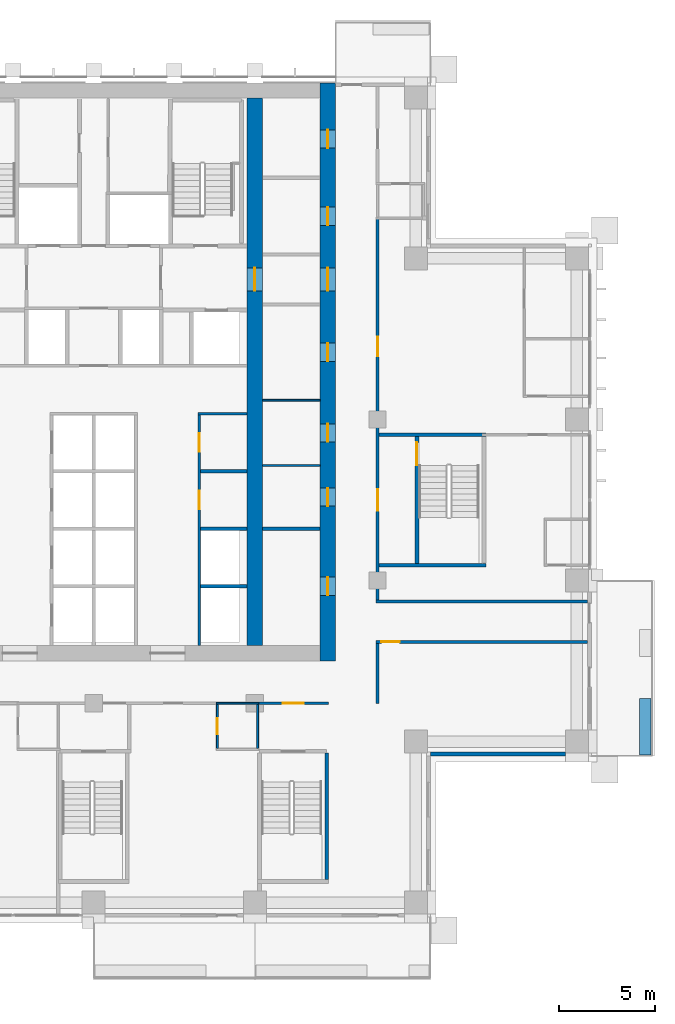
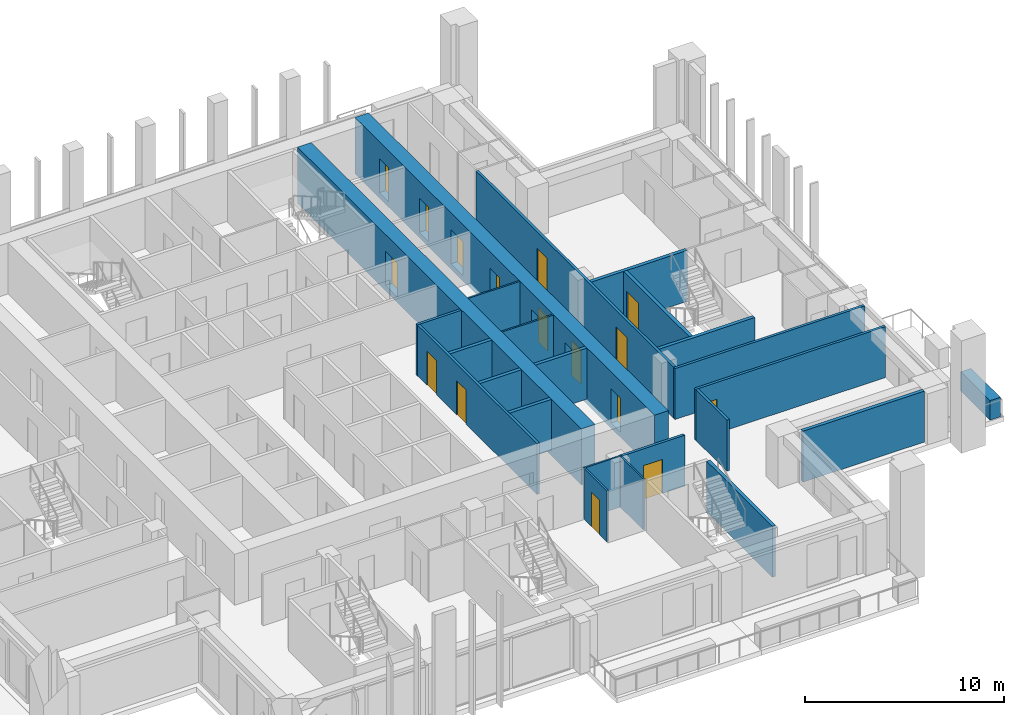
# One storey, part 11 of 19: 24 walls, 16 doors, 16 openings.
"""IFC4 building model written with IfcOpenShell, lengths in metres."""

from ifc_helpers import new_model, si_unit, direction, frame, frame_2d, origin, place, context, subcontext, project, spatial, rectangle, extrude, material, layer, layer_set, type_object, element, fill, save


model = new_model("IFC4")

# Units and contexts
model_context = context("Model", 3, precision=1e-05, world=origin(), true_north=direction((0.0, 1.0)))
body_context = subcontext(model_context, "Body", "Model", "MODEL_VIEW")
ifc_project = project(units=[si_unit("LENGTHUNIT", "METRE"), si_unit("AREAUNIT", "SQUARE_METRE"), si_unit("VOLUMEUNIT", "CUBIC_METRE"), si_unit("PLANEANGLEUNIT", "RADIAN"), si_unit("MASSUNIT", "GRAM", prefix="KILO")], contexts=[model_context])

# Site, building, storey
site_placement = place(None, origin())
site = spatial("IfcSite", under=ifc_project, at=site_placement, CompositionType="ELEMENT")
building_placement = place(site_placement, origin())
building = spatial("IfcBuilding", under=site, at=building_placement, Name="Vermilion Ogive Tower", CompositionType="ELEMENT")
storey_placement = place(building_placement, frame((0.0, 0.0, 90.75)))
storey = spatial("IfcBuildingStorey", under=building, at=storey_placement, Name="L22", CompositionType="ELEMENT", Elevation=90.75)

# Wall, openings, doors
ifc_material_1 = material(Name="Concrete B80", Category="concrete")
ifc_layer_1 = layer(ifc_material_1, 0.800048828125)
ifc_layer_set_1 = layer_set([ifc_layer_1], Name="Core wall 800 B80")
wall_type_1 = type_object("IfcWallType", Name="Core wall 800 B80", PredefinedType="SHEAR", material=ifc_layer_set_1)
wall_1_placement = place(storey_placement, frame((12.199951171875, -8.39990234375, -0.320068359375), z_axis=(0.0, 0.0, 1.0), x_axis=(0.0, 1.0, 0.0)))
wall_1 = element("IfcWall", 1, at=wall_1_placement, inside=storey, type_object=wall_type_1, Name="L22-CORE-E", PredefinedType="SHEAR", context=body_context, shape_type="SweptSolid", body=[
    extrude(rectangle(XDim=30.14990234375, YDim=0.800048828125, at=frame_2d((15.074951171875, 0.0))), origin(), (0.0, 0.0, 1.0), 3.449951171875),
])
opening_1_placement = place(wall_1_placement, frame((3.425048828125, 0.0, 0.320068359375)))
opening_1 = element("IfcOpeningElement", 2, at=opening_1_placement, cuts=wall_1, Name="Opening DAC039", PredefinedType="OPENING", context=body_context, shape_type="SweptSolid", body=[
    extrude(rectangle(XDim=0.949951171875, YDim=2.10009765625, at=frame_2d((0.47509765625, 1.050048828125))), frame((0.0, 0.409912109375, 0.0), z_axis=(0.0, -1.0, 0.0), x_axis=(1.0, 0.0, 0.0)), (0.0, 0.0, 1.0), 0.820068359375),
])
opening_2_placement = place(wall_1_placement, frame((8.074951171875, 0.0, 0.320068359375)))
opening_2 = element("IfcOpeningElement", 3, at=opening_2_placement, cuts=wall_1, Name="Opening DAC040", PredefinedType="OPENING", context=body_context, shape_type="SweptSolid", body=[
    extrude(rectangle(XDim=0.949951171875, YDim=2.10009765625, at=frame_2d((0.47509765625, 1.050048828125))), frame((0.0, 0.409912109375, 0.0), z_axis=(0.0, -1.0, 0.0), x_axis=(1.0, 0.0, 0.0)), (0.0, 0.0, 1.0), 0.820068359375),
])
opening_3_placement = place(wall_1_placement, frame((11.425048828125, 0.0, 0.320068359375)))
opening_3 = element("IfcOpeningElement", 4, at=opening_3_placement, cuts=wall_1, Name="Opening DAC041", PredefinedType="OPENING", context=body_context, shape_type="SweptSolid", body=[
    extrude(rectangle(XDim=0.949951171875, YDim=2.10009765625, at=frame_2d((0.47509765625, 1.050048828125))), frame((0.0, 0.409912109375, 0.0), z_axis=(0.0, -1.0, 0.0), x_axis=(1.0, 0.0, 0.0)), (0.0, 0.0, 1.0), 0.820068359375),
])
opening_4_placement = place(wall_1_placement, frame((15.625, 0.0, 0.320068359375)))
opening_4 = element("IfcOpeningElement", 5, at=opening_4_placement, cuts=wall_1, Name="Opening DAC042", PredefinedType="OPENING", context=body_context, shape_type="SweptSolid", body=[
    extrude(rectangle(XDim=0.949951171875, YDim=2.10009765625, at=frame_2d((0.47509765625, 1.050048828125))), frame((0.0, 0.409912109375, 0.0), z_axis=(0.0, -1.0, 0.0), x_axis=(1.0, 0.0, 0.0)), (0.0, 0.0, 1.0), 0.820068359375),
])
opening_5_placement = place(wall_1_placement, frame((22.72509765625, 0.0, 0.320068359375)))
opening_5 = element("IfcOpeningElement", 6, at=opening_5_placement, cuts=wall_1, Name="Opening DAC043", PredefinedType="OPENING", context=body_context, shape_type="SweptSolid", body=[
    extrude(rectangle(XDim=0.949951171875, YDim=2.10009765625, at=frame_2d((0.47509765625, 1.050048828125))), frame((0.0, 0.409912109375, 0.0), z_axis=(0.0, -1.0, 0.0), x_axis=(1.0, 0.0, 0.0)), (0.0, 0.0, 1.0), 0.820068359375),
])
opening_6_placement = place(wall_1_placement, frame((26.75, 0.0, 0.320068359375)))
opening_6 = element("IfcOpeningElement", 7, at=opening_6_placement, cuts=wall_1, Name="Opening DAC044", PredefinedType="OPENING", context=body_context, shape_type="SweptSolid", body=[
    extrude(rectangle(XDim=0.949951171875, YDim=2.10009765625, at=frame_2d((0.47509765625, 1.050048828125))), frame((0.0, 0.409912109375, 0.0), z_axis=(0.0, -1.0, 0.0), x_axis=(1.0, 0.0, 0.0)), (0.0, 0.0, 1.0), 0.820068359375),
])
opening_7_placement = place(wall_1_placement, frame((19.300048828125, 0.0, 0.320068359375)))
opening_7 = element("IfcOpeningElement", 8, at=opening_7_placement, cuts=wall_1, Name="Opening DAL008", PredefinedType="OPENING", context=body_context, shape_type="SweptSolid", body=[
    extrude(rectangle(XDim=1.199951171875, YDim=2.10009765625, at=frame_2d((0.60009765625, 1.050048828125))), frame((0.0, 0.409912109375, 0.0), z_axis=(0.0, -1.0, 0.0), x_axis=(1.0, 0.0, 0.0)), (0.0, 0.0, 1.0), 0.820068359375),
])
ifc_material_2 = material(Name="Timber door leaf", Category="wood")
door_type_1 = type_object("IfcDoorType", Name="Link door 1200 x 2100 FD60S", OperationType="SINGLE_SWING_LEFT", PredefinedType="DOOR", material=ifc_material_2)
door_1_placement = place(opening_7_placement, origin())
door_1 = element("IfcDoor", 9, at=door_1_placement, inside=storey, type_object=door_type_1, Name="L22-CKE-XL", OperationType="SINGLE_SWING_LEFT", OverallHeight=2.10009765625, OverallWidth=1.199951171875, PredefinedType="DOOR", context=body_context, shape_type="SweptSolid", body=[
    extrude(rectangle(XDim=1.199951171875, YDim=2.10009765625, at=frame_2d((0.60009765625, 1.050048828125))), frame((0.0, 0.02490234375, 0.0), z_axis=(0.0, -1.0, 0.0), x_axis=(1.0, 0.0, 0.0)), (0.0, 0.0, 1.0), 0.050048828125),
])
fill(opening_7, door_1)
ifc_material_3 = material(Name="Timber door leaf", Category="wood")
door_type_2 = type_object("IfcDoorType", Name="Service door 950 x 2100 FD60", OperationType="SINGLE_SWING_LEFT", PredefinedType="DOOR", material=ifc_material_3)
door_2_placement = place(opening_1_placement, origin())
door_2 = element("IfcDoor", 10, at=door_2_placement, inside=storey, type_object=door_type_2, Name="L22-CKE-XR0", OperationType="SINGLE_SWING_LEFT", OverallHeight=2.10009765625, OverallWidth=0.949951171875, PredefinedType="DOOR", context=body_context, shape_type="SweptSolid", body=[
    extrude(rectangle(XDim=0.949951171875, YDim=2.10009765625, at=frame_2d((0.47509765625, 1.050048828125))), frame((0.0, 0.02490234375, 0.0), z_axis=(0.0, -1.0, 0.0), x_axis=(1.0, 0.0, 0.0)), (0.0, 0.0, 1.0), 0.050048828125),
])
fill(opening_1, door_2)
door_3_placement = place(opening_2_placement, origin())
door_3 = element("IfcDoor", 11, at=door_3_placement, inside=storey, type_object=door_type_2, Name="L22-CKE-XR1", OperationType="SINGLE_SWING_LEFT", OverallHeight=2.10009765625, OverallWidth=0.949951171875, PredefinedType="DOOR", context=body_context, shape_type="SweptSolid", body=[
    extrude(rectangle(XDim=0.949951171875, YDim=2.10009765625, at=frame_2d((0.47509765625, 1.050048828125))), frame((0.0, 0.02490234375, 0.0), z_axis=(0.0, -1.0, 0.0), x_axis=(1.0, 0.0, 0.0)), (0.0, 0.0, 1.0), 0.050048828125),
])
fill(opening_2, door_3)
door_4_placement = place(opening_3_placement, origin())
door_4 = element("IfcDoor", 12, at=door_4_placement, inside=storey, type_object=door_type_2, Name="L22-CKE-XR2", OperationType="SINGLE_SWING_LEFT", OverallHeight=2.10009765625, OverallWidth=0.949951171875, PredefinedType="DOOR", context=body_context, shape_type="SweptSolid", body=[
    extrude(rectangle(XDim=0.949951171875, YDim=2.10009765625, at=frame_2d((0.47509765625, 1.050048828125))), frame((0.0, 0.02490234375, 0.0), z_axis=(0.0, -1.0, 0.0), x_axis=(1.0, 0.0, 0.0)), (0.0, 0.0, 1.0), 0.050048828125),
])
fill(opening_3, door_4)
door_5_placement = place(opening_4_placement, origin())
door_5 = element("IfcDoor", 13, at=door_5_placement, inside=storey, type_object=door_type_2, Name="L22-CKE-XR3", OperationType="SINGLE_SWING_LEFT", OverallHeight=2.10009765625, OverallWidth=0.949951171875, PredefinedType="DOOR", context=body_context, shape_type="SweptSolid", body=[
    extrude(rectangle(XDim=0.949951171875, YDim=2.10009765625, at=frame_2d((0.47509765625, 1.050048828125))), frame((0.0, 0.02490234375, 0.0), z_axis=(0.0, -1.0, 0.0), x_axis=(1.0, 0.0, 0.0)), (0.0, 0.0, 1.0), 0.050048828125),
])
fill(opening_4, door_5)
door_6_placement = place(opening_5_placement, origin())
door_6 = element("IfcDoor", 14, at=door_6_placement, inside=storey, type_object=door_type_2, Name="L22-CKE-XR4", OperationType="SINGLE_SWING_LEFT", OverallHeight=2.10009765625, OverallWidth=0.949951171875, PredefinedType="DOOR", context=body_context, shape_type="SweptSolid", body=[
    extrude(rectangle(XDim=0.949951171875, YDim=2.10009765625, at=frame_2d((0.47509765625, 1.050048828125))), frame((0.0, 0.02490234375, 0.0), z_axis=(0.0, -1.0, 0.0), x_axis=(1.0, 0.0, 0.0)), (0.0, 0.0, 1.0), 0.050048828125),
])
fill(opening_5, door_6)
door_7_placement = place(opening_6_placement, origin())
door_7 = element("IfcDoor", 15, at=door_7_placement, inside=storey, type_object=door_type_2, Name="L22-CKE-XR5", OperationType="SINGLE_SWING_LEFT", OverallHeight=2.10009765625, OverallWidth=0.949951171875, PredefinedType="DOOR", context=body_context, shape_type="SweptSolid", body=[
    extrude(rectangle(XDim=0.949951171875, YDim=2.10009765625, at=frame_2d((0.47509765625, 1.050048828125))), frame((0.0, 0.02490234375, 0.0), z_axis=(0.0, -1.0, 0.0), x_axis=(1.0, 0.0, 0.0)), (0.0, 0.0, 1.0), 0.050048828125),
])
fill(opening_6, door_7)

# Wall, opening, door
wall_2_placement = place(storey_placement, frame((8.39990234375, -7.60009765625, -0.320068359375), z_axis=(0.0, 0.0, 1.0), x_axis=(0.0, 1.0, 0.0)))
wall_2 = element("IfcWall", 16, at=wall_2_placement, inside=storey, type_object=wall_type_1, Name="L22-CORE-WEB2", PredefinedType="SHEAR", context=body_context, shape_type="SweptSolid", body=[
    extrude(rectangle(XDim=28.550048828125, YDim=0.800048828125, at=frame_2d((14.27490234375, 0.0))), origin(), (0.0, 0.0, 1.0), 3.449951171875),
])
opening_8_placement = place(wall_2_placement, frame((18.5, 0.0, 0.320068359375)))
opening_8 = element("IfcOpeningElement", 17, at=opening_8_placement, cuts=wall_2, Name="Opening DAO008", PredefinedType="OPENING", context=body_context, shape_type="SweptSolid", body=[
    extrude(rectangle(XDim=1.199951171875, YDim=2.10009765625, at=frame_2d((0.60009765625, 1.050048828125))), frame((0.0, 0.409912109375, 0.0), z_axis=(0.0, -1.0, 0.0), x_axis=(1.0, 0.0, 0.0)), (0.0, 0.0, 1.0), 0.820068359375),
])
door_8_placement = place(opening_8_placement, origin())
door_8 = element("IfcDoor", 18, at=door_8_placement, inside=storey, type_object=door_type_1, Name="L22-CKE-XW", OperationType="SINGLE_SWING_LEFT", OverallHeight=2.10009765625, OverallWidth=1.199951171875, PredefinedType="DOOR", context=body_context, shape_type="SweptSolid", body=[
    extrude(rectangle(XDim=1.199951171875, YDim=2.10009765625, at=frame_2d((0.60009765625, 1.050048828125))), frame((0.0, 0.02490234375, 0.0), z_axis=(0.0, -1.0, 0.0), x_axis=(1.0, 0.0, 0.0)), (0.0, 0.0, 1.0), 0.050048828125),
])
fill(opening_8, door_8)

# Wall
ifc_material_4 = material(Name="Gypsum board partition on steel studs", Category="steel")
ifc_layer_2 = layer(ifc_material_4, 0.10009765625)
ifc_layer_set_2 = layer_set([ifc_layer_2], Name="Partition 100 bath")
wall_type_2 = type_object("IfcWallType", Name="Partition 100 bath", PredefinedType="PARTITIONING", material=ifc_layer_set_2)
wall_3_placement = place(storey_placement, frame((6.39990234375, -10.60009765625, 0.0), z_axis=(0.0, 0.0, 1.0), x_axis=(1.0, 0.0, 0.0)))
element("IfcWall", 19, at=wall_3_placement, inside=storey, type_object=wall_type_2, Name="L22-W-W011", PredefinedType="PARTITIONING", context=body_context, shape_type="SweptSolid", body=[
    extrude(rectangle(XDim=2.2001953125, YDim=0.10009765625, at=frame_2d((1.10009765625, 0.0))), origin(), (0.0, 0.0, 1.0), 3.1298828125),
])

# Wall, opening, door
wall_4_placement = place(storey_placement, frame((6.449951171875, -12.949951171875, 0.0), z_axis=(0.0, 0.0, 1.0), x_axis=(0.0, 1.0, 0.0)))
wall_4 = element("IfcWall", 20, at=wall_4_placement, inside=storey, type_object=wall_type_2, Name="L22-W-W055", PredefinedType="PARTITIONING", context=body_context, shape_type="SweptSolid", body=[
    extrude(rectangle(XDim=2.27490234375, YDim=0.10009765625, at=frame_2d((1.137451171875, 0.0))), origin(), (0.0, 0.0, 1.0), 3.1298828125),
])
opening_9_placement = place(wall_4_placement, frame((0.724853515625, 0.0, 0.0)))
opening_9 = element("IfcOpeningElement", 21, at=opening_9_placement, cuts=wall_4, Name="Opening D2G2013", PredefinedType="OPENING", context=body_context, shape_type="SweptSolid", body=[
    extrude(rectangle(XDim=0.85009765625, YDim=2.10009765625, at=frame_2d((0.425048828125, 1.050048828125))), frame((0.0, 0.06005859375, 0.0), z_axis=(0.0, -1.0, 0.0), x_axis=(1.0, 0.0, 0.0)), (0.0, 0.0, 1.0), 0.1201171875),
])
ifc_material_5 = material(Name="Timber door leaf", Category="wood")
door_type_3 = type_object("IfcDoorType", Name="Bath door 850 x 2100 FD30", OperationType="SINGLE_SWING_LEFT", PredefinedType="DOOR", material=ifc_material_5)
door_9_placement = place(opening_9_placement, origin())
door_9 = element("IfcDoor", 22, at=door_9_placement, inside=storey, type_object=door_type_3, Name="L22-D-D013", OperationType="SINGLE_SWING_RIGHT", OverallHeight=2.10009765625, OverallWidth=0.85009765625, PredefinedType="DOOR", context=body_context, shape_type="SweptSolid", body=[
    extrude(rectangle(XDim=0.85009765625, YDim=2.10009765625, at=frame_2d((0.425048828125, 1.050048828125))), frame((0.0, 0.02490234375, 0.0), z_axis=(0.0, -1.0, 0.0), x_axis=(1.0, 0.0, 0.0)), (0.0, 0.0, 1.0), 0.050048828125),
])
fill(opening_9, door_9)

# Walls
wall_5_placement = place(storey_placement, frame((8.550048828125, -12.949951171875, 0.0), z_axis=(0.0, 0.0, 1.0), x_axis=(0.0, 1.0, 0.0)))
element("IfcWall", 23, at=wall_5_placement, inside=storey, type_object=wall_type_2, Name="L22-W-W056", PredefinedType="PARTITIONING", context=body_context, shape_type="SweptSolid", body=[
    extrude(rectangle(XDim=2.27490234375, YDim=0.10009765625, at=frame_2d((1.137451171875, 0.0))), origin(), (0.0, 0.0, 1.0), 3.1298828125),
])
for number, where, z_axis, x_axis, name in (
    (24, (8.801025390625, 1.800048828125, 0.0), (0.0, 0.0, 1.0), (1.0, 0.0, 0.0), "L22-CKE-W-W002"),
    (25, (8.801025390625, 5.199951171875, 0.0), (0.0, 0.0, 1.0), (1.0, 0.0, 0.0), "L22-CKE-W-W003"),
):
    element("IfcWall", number, at=place(storey_placement, frame(where, z_axis=z_axis, x_axis=x_axis)), inside=storey, type_object=wall_type_2, Name=name, PredefinedType="PARTITIONING", context=body_context, shape_type="SweptSolid", body=[
        extrude(rectangle(XDim=2.998046875, YDim=0.10009765625, at=frame_2d((1.4990234375, 0.0))), origin(), (0.0, 0.0, 1.0), 3.1298828125),
    ])

# Wall, opening, door
ifc_material_6 = material(Name="Gypsum board partition on steel studs", Category="steel")
ifc_layer_3 = layer(ifc_material_6, 0.14990234375)
ifc_layer_set_3 = layer_set([ifc_layer_3], Name="Partition 150 corridor")
wall_type_3 = type_object("IfcWallType", Name="Partition 150 corridor", PredefinedType="PARTITIONING", material=ifc_layer_set_3)
wall_6_placement = place(storey_placement, frame((8.5, -10.60009765625, 0.0), z_axis=(0.0, 0.0, 1.0), x_axis=(1.0, 0.0, 0.0)))
wall_6 = element("IfcWall", 26, at=wall_6_placement, inside=storey, type_object=wall_type_3, Name="L22-W-W012", PredefinedType="PARTITIONING", context=body_context, shape_type="SweptSolid", body=[
    extrude(rectangle(XDim=3.75, YDim=0.14990234375, at=frame_2d((1.875, 0.0))), origin(), (0.0, 0.0, 1.0), 3.1298828125),
])
opening_10_placement = place(wall_6_placement, frame((1.35009765625, 0.0, 0.0)))
opening_10 = element("IfcOpeningElement", 27, at=opening_10_placement, cuts=wall_6, Name="Opening D2G2026", PredefinedType="OPENING", context=body_context, shape_type="SweptSolid", body=[
    extrude(rectangle(XDim=1.10009765625, YDim=2.10009765625, at=frame_2d((0.550048828125, 1.050048828125))), frame((0.0, 0.0849609375, 0.0), z_axis=(0.0, -1.0, 0.0), x_axis=(1.0, 0.0, 0.0)), (0.0, 0.0, 1.0), 0.169921875),
])
ifc_material_7 = material(Name="Timber door leaf", Category="wood")
door_type_4 = type_object("IfcDoorType", Name="Stair door 1100 x 2100 FD60S", OperationType="SINGLE_SWING_LEFT", PredefinedType="DOOR", material=ifc_material_7)
door_10_placement = place(opening_10_placement, origin())
door_10 = element("IfcDoor", 28, at=door_10_placement, inside=storey, type_object=door_type_4, Name="L22-D-D026", OperationType="SINGLE_SWING_RIGHT", OverallHeight=2.10009765625, OverallWidth=1.10009765625, PredefinedType="DOOR", context=body_context, shape_type="SweptSolid", body=[
    extrude(rectangle(XDim=1.10009765625, YDim=2.10009765625, at=frame_2d((0.550048828125, 1.050048828125))), frame((0.0, 0.02490234375, 0.0), z_axis=(0.0, -1.0, 0.0), x_axis=(1.0, 0.0, 0.0)), (0.0, 0.0, 1.0), 0.050048828125),
])
fill(opening_10, door_10)

wall_7_placement = place(storey_placement, frame((14.72509765625, -7.39990234375, 0.0), z_axis=(0.0, 0.0, 1.0), x_axis=(1.0, 0.0, 0.0)))
wall_7 = element("IfcWall", 29, at=wall_7_placement, inside=storey, type_object=wall_type_3, Name="L22-W-W014", PredefinedType="PARTITIONING", context=body_context, shape_type="SweptSolid", body=[
    extrude(rectangle(XDim=11.02490234375, YDim=0.14990234375, at=frame_2d((5.512451171875, 0.0))), origin(), (0.0, 0.0, 1.0), 3.1298828125),
])
opening_11_placement = place(wall_7_placement, frame((0.27490234375, 0.0, 0.0)))
opening_11 = element("IfcOpeningElement", 30, at=opening_11_placement, cuts=wall_7, Name="Opening D2G2014", PredefinedType="OPENING", context=body_context, shape_type="SweptSolid", body=[
    extrude(rectangle(XDim=0.949951171875, YDim=2.10009765625, at=frame_2d((0.47509765625, 1.050048828125))), frame((0.0, 0.0849609375, 0.0), z_axis=(0.0, -1.0, 0.0), x_axis=(1.0, 0.0, 0.0)), (0.0, 0.0, 1.0), 0.169921875),
])
ifc_material_8 = material(Name="Timber door leaf", Category="wood")
door_type_5 = type_object("IfcDoorType", Name="Unit door 950 x 2100 FD30S", OperationType="SINGLE_SWING_LEFT", PredefinedType="DOOR", material=ifc_material_8)
door_11_placement = place(opening_11_placement, origin())
door_11 = element("IfcDoor", 31, at=door_11_placement, inside=storey, type_object=door_type_5, Name="L22-D-D014", OperationType="SINGLE_SWING_RIGHT", OverallHeight=2.10009765625, OverallWidth=0.949951171875, PredefinedType="DOOR", context=body_context, shape_type="SweptSolid", body=[
    extrude(rectangle(XDim=0.949951171875, YDim=2.10009765625, at=frame_2d((0.47509765625, 1.050048828125))), frame((0.0, 0.02490234375, 0.0), z_axis=(0.0, -1.0, 0.0), x_axis=(1.0, 0.0, 0.0)), (0.0, 0.0, 1.0), 0.050048828125),
])
fill(opening_11, door_11)

# Walls
wall_8_placement = place(storey_placement, frame((14.72705078125, -5.300048828125, 0.0), z_axis=(0.0, 0.0, 1.0), x_axis=(1.0, 0.0, 0.0)))
element("IfcWall", 32, at=wall_8_placement, inside=storey, type_object=wall_type_3, Name="L22-W-W016", PredefinedType="PARTITIONING", context=body_context, shape_type="SweptSolid", body=[
    extrude(rectangle(XDim=11.02294921875, YDim=0.14990234375, at=frame_2d((5.511474609375, 0.0))), origin(), (0.0, 0.0, 1.0), 3.1298828125),
])
wall_9_placement = place(storey_placement, frame((14.800048828125, -10.60009765625, 0.0), z_axis=(0.0, 0.0, 1.0), x_axis=(0.0, 1.0, 0.0)))
element("IfcWall", 33, at=wall_9_placement, inside=storey, type_object=wall_type_3, Name="L22-W-W057", PredefinedType="PARTITIONING", context=body_context, shape_type="SweptSolid", body=[
    extrude(rectangle(XDim=3.125, YDim=0.14990234375, at=frame_2d((1.5625, 0.0))), origin(), (0.0, 0.0, 1.0), 3.1298828125),
])

# Wall, openings, doors
wall_10_placement = place(storey_placement, frame((14.800048828125, -5.222900390625, 0.0), z_axis=(0.0, 0.0, 1.0), x_axis=(0.0, 1.0, 0.0)))
wall_10 = element("IfcWall", 34, at=wall_10_placement, inside=storey, type_object=wall_type_3, Name="L22-W-W058", PredefinedType="PARTITIONING", context=body_context, shape_type="SweptSolid", body=[
    extrude(rectangle(XDim=19.872802734375, YDim=0.14990234375, at=frame_2d((9.9365234375, 0.0))), origin(), (0.0, 0.0, 1.0), 3.1298828125),
])
opening_12_placement = place(wall_10_placement, frame((12.722900390625, 0.0, 0.0)))
opening_12 = element("IfcOpeningElement", 35, at=opening_12_placement, cuts=wall_10, Name="Opening D2G2017", PredefinedType="OPENING", context=body_context, shape_type="SweptSolid", body=[
    extrude(rectangle(XDim=1.0, YDim=2.10009765625, at=frame_2d((0.5, 1.050048828125))), frame((0.0, 0.0849609375, 0.0), z_axis=(0.0, -1.0, 0.0), x_axis=(1.0, 0.0, 0.0)), (0.0, 0.0, 1.0), 0.169921875),
])
opening_13_placement = place(wall_10_placement, frame((4.6728515625, 0.0, 0.0)))
opening_13 = element("IfcOpeningElement", 36, at=opening_13_placement, cuts=wall_10, Name="Opening D2G2028", PredefinedType="OPENING", context=body_context, shape_type="SweptSolid", body=[
    extrude(rectangle(XDim=1.10009765625, YDim=2.10009765625, at=frame_2d((0.550048828125, 1.050048828125))), frame((0.0, 0.0849609375, 0.0), z_axis=(0.0, -1.0, 0.0), x_axis=(1.0, 0.0, 0.0)), (0.0, 0.0, 1.0), 0.169921875),
])
door_12_placement = place(opening_13_placement, origin())
door_12 = element("IfcDoor", 37, at=door_12_placement, inside=storey, type_object=door_type_4, Name="L22-D-D028", OperationType="SINGLE_SWING_RIGHT", OverallHeight=2.10009765625, OverallWidth=1.10009765625, PredefinedType="DOOR", context=body_context, shape_type="SweptSolid", body=[
    extrude(rectangle(XDim=1.10009765625, YDim=2.10009765625, at=frame_2d((0.550048828125, 1.050048828125))), frame((0.0, 0.02490234375, 0.0), z_axis=(0.0, -1.0, 0.0), x_axis=(1.0, 0.0, 0.0)), (0.0, 0.0, 1.0), 0.050048828125),
])
fill(opening_13, door_12)
ifc_material_9 = material(Name="Timber door leaf", Category="wood")
door_type_6 = type_object("IfcDoorType", Name="Unit door 1000 x 2100 FD30S", OperationType="SINGLE_SWING_LEFT", PredefinedType="DOOR", material=ifc_material_9)
door_13_placement = place(opening_12_placement, origin())
door_13 = element("IfcDoor", 38, at=door_13_placement, inside=storey, type_object=door_type_6, Name="L22-D-D017", OperationType="SINGLE_SWING_LEFT", OverallHeight=2.10009765625, OverallWidth=1.0, PredefinedType="DOOR", context=body_context, shape_type="SweptSolid", body=[
    extrude(rectangle(XDim=1.0, YDim=2.10009765625, at=frame_2d((0.5, 1.050048828125))), frame((0.0, 0.02490234375, 0.0), z_axis=(0.0, -1.0, 0.0), x_axis=(1.0, 0.0, 0.0)), (0.0, 0.0, 1.0), 0.050048828125),
])
fill(opening_12, door_13)

# Wall
wall_11_placement = place(storey_placement, frame((5.425048828125, 4.5, 0.0), z_axis=(0.0, 0.0, 1.0), x_axis=(1.0, 0.0, 0.0)))
element("IfcWall", 39, at=wall_11_placement, inside=storey, type_object=wall_type_3, Name="L22-CK-W-W012", PredefinedType="PARTITIONING", context=body_context, shape_type="SweptSolid", body=[
    extrude(rectangle(XDim=2.573974609375, YDim=0.14990234375, at=frame_2d((1.287109375, 0.0))), origin(), (0.0, 0.0, 1.0), 3.1298828125),
])

# Wall, openings, doors
wall_12_placement = place(storey_placement, frame((5.5, -7.59912109375, 0.0), z_axis=(0.0, 0.0, 1.0), x_axis=(0.0, 1.0, 0.0)))
wall_12 = element("IfcWall", 40, at=wall_12_placement, inside=storey, type_object=wall_type_3, Name="L22-CK-W-W040", PredefinedType="PARTITIONING", context=body_context, shape_type="SweptSolid", body=[
    extrude(rectangle(XDim=12.024169921875, YDim=0.14990234375, at=frame_2d((6.01220703125, 0.0))), origin(), (0.0, 0.0, 1.0), 3.1298828125),
])
opening_14_placement = place(wall_12_placement, frame((7.1240234375, 0.0, 0.0)))
opening_14 = element("IfcOpeningElement", 41, at=opening_14_placement, cuts=wall_12, Name="Opening DAA166", PredefinedType="OPENING", context=body_context, shape_type="SweptSolid", body=[
    extrude(rectangle(XDim=0.949951171875, YDim=2.10009765625, at=frame_2d((0.47509765625, 1.050048828125))), frame((0.0, 0.0849609375, 0.0), z_axis=(0.0, -1.0, 0.0), x_axis=(1.0, 0.0, 0.0)), (0.0, 0.0, 1.0), 0.169921875),
])
opening_15_placement = place(wall_12_placement, frame((10.1240234375, 0.0, 0.0)))
opening_15 = element("IfcOpeningElement", 42, at=opening_15_placement, cuts=wall_12, Name="Opening DAA167", PredefinedType="OPENING", context=body_context, shape_type="SweptSolid", body=[
    extrude(rectangle(XDim=0.949951171875, YDim=2.10009765625, at=frame_2d((0.47509765625, 1.050048828125))), frame((0.0, 0.0849609375, 0.0), z_axis=(0.0, -1.0, 0.0), x_axis=(1.0, 0.0, 0.0)), (0.0, 0.0, 1.0), 0.169921875),
])
door_14_placement = place(opening_14_placement, origin())
door_14 = element("IfcDoor", 43, at=door_14_placement, inside=storey, type_object=door_type_2, Name="L22-CK-D-D009", OperationType="SINGLE_SWING_RIGHT", OverallHeight=2.10009765625, OverallWidth=0.949951171875, PredefinedType="DOOR", context=body_context, shape_type="SweptSolid", body=[
    extrude(rectangle(XDim=0.949951171875, YDim=2.10009765625, at=frame_2d((0.47509765625, 1.050048828125))), frame((0.0, 0.02490234375, 0.0), z_axis=(0.0, -1.0, 0.0), x_axis=(1.0, 0.0, 0.0)), (0.0, 0.0, 1.0), 0.050048828125),
])
fill(opening_14, door_14)
door_15_placement = place(opening_15_placement, origin())
door_15 = element("IfcDoor", 44, at=door_15_placement, inside=storey, type_object=door_type_2, Name="L22-CK-D-D010", OperationType="SINGLE_SWING_RIGHT", OverallHeight=2.10009765625, OverallWidth=0.949951171875, PredefinedType="DOOR", context=body_context, shape_type="SweptSolid", body=[
    extrude(rectangle(XDim=0.949951171875, YDim=2.10009765625, at=frame_2d((0.47509765625, 1.050048828125))), frame((0.0, 0.02490234375, 0.0), z_axis=(0.0, -1.0, 0.0), x_axis=(1.0, 0.0, 0.0)), (0.0, 0.0, 1.0), 0.050048828125),
])
fill(opening_15, door_15)

# Walls
ifc_material_10 = material(Name="Gypsum board partition on steel studs", Category="steel")
ifc_layer_4 = layer(ifc_material_10, 0.199951171875)
ifc_layer_set_4 = layer_set([ifc_layer_4], Name="Partition 200 party")
wall_type_4 = type_object("IfcWallType", Name="Partition 200 party", PredefinedType="PARTITIONING", material=ifc_layer_set_4)
for number, where, z_axis, x_axis, name in (
    (45, (5.574951171875, -4.5, 0.0), (0.0, 0.0, 1.0), (1.0, 0.0, 0.0), "L22-CK-W-W003"),
    (46, (5.574951171875, -1.5, 0.0), (0.0, 0.0, 1.0), (1.0, 0.0, 0.0), "L22-CK-W-W006"),
    (47, (5.574951171875, 1.5, 0.0), (0.0, 0.0, 1.0), (1.0, 0.0, 0.0), "L22-CK-W-W009"),
):
    element("IfcWall", number, at=place(storey_placement, frame(where, z_axis=z_axis, x_axis=x_axis)), inside=storey, type_object=wall_type_4, Name=name, PredefinedType="PARTITIONING", context=body_context, shape_type="SweptSolid", body=[
        extrude(rectangle(XDim=2.424072265625, YDim=0.199951171875, at=frame_2d((1.2119140625, 0.0))), origin(), (0.0, 0.0, 1.0), 3.1298828125),
    ])
wall_13_placement = place(storey_placement, frame((8.801025390625, -1.5, 0.0), z_axis=(0.0, 0.0, 1.0), x_axis=(1.0, 0.0, 0.0)))
element("IfcWall", 48, at=wall_13_placement, inside=storey, type_object=wall_type_4, Name="L22-CKE-W-W001", PredefinedType="PARTITIONING", context=body_context, shape_type="SweptSolid", body=[
    extrude(rectangle(XDim=2.998046875, YDim=0.199951171875, at=frame_2d((1.4990234375, 0.0))), origin(), (0.0, 0.0, 1.0), 3.1298828125),
])
ifc_material_11 = material(Name="Concrete B60", Category="concrete")
ifc_layer_5 = layer(ifc_material_11, 0.199951171875)
ifc_layer_set_5 = layer_set([ifc_layer_5], Name="Stair shaft wall 200 Concrete B60")
wall_type_5 = type_object("IfcWallType", Name="Stair shaft wall 200 Concrete B60", PredefinedType="SOLIDWALL", material=ifc_layer_set_5)
wall_14_placement = place(storey_placement, frame((14.876953125, -3.39990234375, 0.0), z_axis=(0.0, 0.0, 1.0), x_axis=(1.0, 0.0, 0.0)))
element("IfcWall", 49, at=wall_14_placement, inside=storey, type_object=wall_type_5, Name="L22-W-W019", PredefinedType="SOLIDWALL", context=body_context, shape_type="SweptSolid", body=[
    extrude(rectangle(XDim=5.571044921875, YDim=0.199951171875, at=frame_2d((2.78564453125, 0.0))), origin(), (0.0, 0.0, 1.0), 3.1298828125),
])
wall_15_placement = place(storey_placement, frame((14.875, 3.39990234375, 0.0), z_axis=(0.0, 0.0, 1.0), x_axis=(1.0, 0.0, 0.0)))
element("IfcWall", 50, at=wall_15_placement, inside=storey, type_object=wall_type_5, Name="L22-W-W025", PredefinedType="SOLIDWALL", context=body_context, shape_type="SweptSolid", body=[
    extrude(rectangle(XDim=5.574951171875, YDim=0.199951171875, at=frame_2d((2.78759765625, 0.0))), origin(), (0.0, 0.0, 1.0), 3.1298828125),
])

# Wall, opening, door
wall_16_placement = place(storey_placement, frame((16.85009765625, -3.300048828125, 0.0), z_axis=(0.0, 0.0, 1.0), x_axis=(0.0, 1.0, 0.0)))
wall_16 = element("IfcWall", 51, at=wall_16_placement, inside=storey, type_object=wall_type_5, Name="L22-W-W061", PredefinedType="SOLIDWALL", context=body_context, shape_type="SweptSolid", body=[
    extrude(rectangle(XDim=6.60009765625, YDim=0.199951171875, at=frame_2d((3.300048828125, 0.0))), origin(), (0.0, 0.0, 1.0), 3.1298828125),
])
opening_16_placement = place(wall_16_placement, frame((5.10009765625, 0.0, 0.0)))
opening_16 = element("IfcOpeningElement", 52, at=opening_16_placement, cuts=wall_16, Name="Opening D2G2029", PredefinedType="OPENING", context=body_context, shape_type="SweptSolid", body=[
    extrude(rectangle(XDim=1.199951171875, YDim=2.10009765625, at=frame_2d((0.60009765625, 1.050048828125))), frame((0.0, 0.10986328125, 0.0), z_axis=(0.0, -1.0, 0.0), x_axis=(1.0, 0.0, 0.0)), (0.0, 0.0, 1.0), 0.219970703125),
])
ifc_material_12 = material(Name="Timber door leaf", Category="wood")
door_type_7 = type_object("IfcDoorType", Name="Stair door 1200 x 2100 FD60S", OperationType="SINGLE_SWING_LEFT", PredefinedType="DOOR", material=ifc_material_12)
door_16_placement = place(opening_16_placement, origin())
door_16 = element("IfcDoor", 53, at=door_16_placement, inside=storey, type_object=door_type_7, Name="L22-D-D029", OperationType="SINGLE_SWING_LEFT", OverallHeight=2.10009765625, OverallWidth=1.199951171875, PredefinedType="DOOR", context=body_context, shape_type="SweptSolid", body=[
    extrude(rectangle(XDim=1.199951171875, YDim=2.10009765625, at=frame_2d((0.60009765625, 1.050048828125))), frame((0.0, 0.02490234375, 0.0), z_axis=(0.0, -1.0, 0.0), x_axis=(1.0, 0.0, 0.0)), (0.0, 0.0, 1.0), 0.050048828125),
])
fill(opening_16, door_16)

# Walls
wall_17_placement = place(storey_placement, frame((12.14990234375, -19.800048828125, 0.0), z_axis=(0.0, 0.0, 1.0), x_axis=(0.0, 1.0, 0.0)))
element("IfcWall", 54, at=wall_17_placement, inside=storey, type_object=wall_type_5, Name="L22-SW-ST5-E1", PredefinedType="SOLIDWALL", context=body_context, shape_type="SweptSolid", body=[
    extrude(rectangle(XDim=6.60009765625, YDim=0.199951171875, at=frame_2d((3.300048828125, 0.0))), origin(), (0.0, 0.0, 1.0), 3.1298828125),
])
ifc_material_13 = material(Name="Concrete B40", Category="concrete")
ifc_layer_6 = layer(ifc_material_13, 0.60009765625)
ifc_layer_set_6 = layer_set([ifc_layer_6], Name="Structural planter")
wall_type_6 = type_object("IfcWallType", Name="Structural planter", PredefinedType="USERDEFINED", material=ifc_layer_set_6)
wall_18_placement = place(storey_placement, frame((28.75, -13.2900390625, -0.0400390625), z_axis=(0.0, 0.0, 1.0), x_axis=(0.0, 1.0, 0.0)))
element("IfcWall", 55, at=wall_18_placement, inside=storey, type_object=wall_type_6, Name="Planter E01A1", ObjectType="PLANTER", PredefinedType="USERDEFINED", context=body_context, shape_type="SweptSolid", body=[
    extrude(rectangle(XDim=2.93994140625, YDim=0.60009765625, at=frame_2d((1.469970703125, 0.0))), origin(), (0.0, 0.0, 1.0), 1.199951171875),
])
ifc_material_14 = material(Name="Aluminium window wall framing", Category="aluminium")
ifc_layer_7 = layer(ifc_material_14, 0.199951171875)
ifc_layer_set_7 = layer_set([ifc_layer_7], Name="Window wall")
wall_type_7 = type_object("IfcWallType", Name="Window wall", PredefinedType="STANDARD", material=ifc_layer_set_7)
wall_19_placement = place(storey_placement, frame((17.550048828125, -13.25, 0.0), z_axis=(0.0, 0.0, 1.0), x_axis=(1.0, 0.0, 0.0)))
element("IfcWall", 56, at=wall_19_placement, inside=storey, type_object=wall_type_7, Name="Window wall X21", PredefinedType="STANDARD", context=body_context, shape_type="SweptSolid", body=[
    extrude(rectangle(XDim=7.050048828125, YDim=0.199951171875, at=frame_2d((3.52490234375, 0.0))), origin(), (0.0, 0.0, 1.0), 3.1298828125),
])

save(model, "model.ifc")
